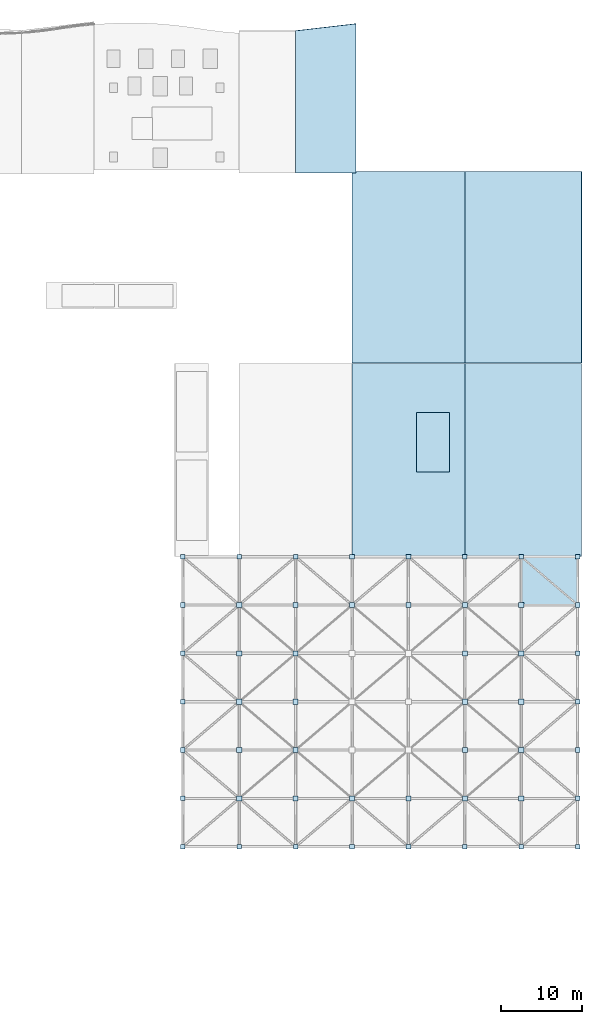
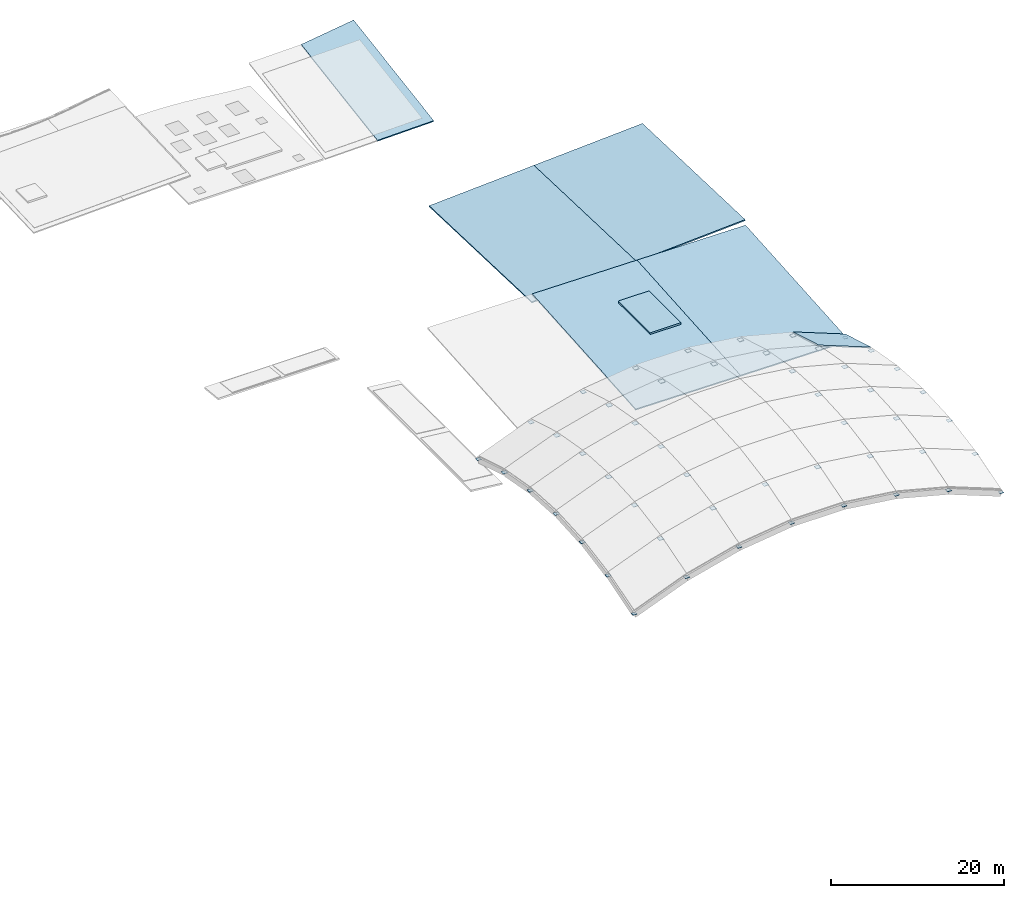
# One storey, part 6 of 11: 50 plates, 7 slabs.
"""IFC4 building model written with IfcOpenShell, lengths in metres."""

import ifcopenshell
import ifcopenshell.guid

model = None  # the IFC model being written
_history = None  # IfcOwnerHistory: only IFC2X3 demands one
_inside = {}  # id of a spatial element -> (the spatial element, [elements in it])
_under = {}  # id of a project, library or spatial element -> (it, [spatial elements below it])
_declared = {}  # id of a project -> (the project, [libraries it declares])
_typed = {}  # id of a type object -> (the type object, [elements of that type])
_made_of = {}  # id of a material, layer set ... -> (it, [elements and type objects made of it])


def new_model(schema):
    """Start an empty IFC model of exactly this schema.

    Asked for "IFC4X3", IfcOpenShell would pick the latest addendum, in which some entities
    have other attributes; the version numbers below select the first issue.
    IFC2X3 requires an IfcOwnerHistory on every rooted entity: one is made here for all.
    """
    global model, _history
    if schema == "IFC4X3":
        model = ifcopenshell.file(schema_version=(4, 3, 0, 0))
    else:
        model = ifcopenshell.file(schema=schema)
    _inside.clear()
    _under.clear()
    _declared.clear()
    _typed.clear()
    _made_of.clear()
    _history = None
    if model.schema == "IFC2X3":
        org = make("IfcOrganization", Name="unknown")
        user = make(
            "IfcPersonAndOrganization",
            ThePerson=make("IfcPerson", FamilyName="unknown"),
            TheOrganization=org,
        )
        app = make(
            "IfcApplication",
            ApplicationDeveloper=org,
            Version="unknown",
            ApplicationFullName="unknown",
            ApplicationIdentifier="unknown",
        )
        _history = make(
            "IfcOwnerHistory",
            OwningUser=user,
            OwningApplication=app,
            ChangeAction="ADDED",
            CreationDate=0,
        )
    return model


def make(cls, **values):
    """One entity of the class cls with the attributes given. An attribute that is None is left unset."""
    return model.create_entity(
        cls, **{name: value for name, value in values.items() if value is not None}
    )


def rooted(cls, **values):
    """An entity with a GlobalId (a new one), such as an element, a storey or a relation."""
    return make(cls, GlobalId=ifcopenshell.guid.new(), OwnerHistory=_history, **values)


def si_unit(unit_type, name, prefix=None):
    """IfcSIUnit, for example si_unit("LENGTHUNIT", "METRE", prefix="MILLI")."""
    return make("IfcSIUnit", UnitType=unit_type, Prefix=prefix, Name=name)


def assignment(units):
    """IfcUnitAssignment: the units of a project."""
    return None if units is None else make("IfcUnitAssignment", Units=units)


def point(xyz):
    """IfcCartesianPoint."""
    return None if xyz is None else make("IfcCartesianPoint", Coordinates=xyz)


def direction(xyz):
    """IfcDirection."""
    return None if xyz is None else make("IfcDirection", DirectionRatios=xyz)


def frame(location, z_axis=None, x_axis=None):
    """IfcAxis2Placement3D, a coordinate frame: its origin and axes. An axis left out is left unset."""
    return make(
        "IfcAxis2Placement3D",
        Location=point(location),
        Axis=direction(z_axis),
        RefDirection=direction(x_axis),
    )


def frame_2d(location, x_axis=None):
    """IfcAxis2Placement2D, a coordinate frame in the plane: its origin and x axis."""
    return make(
        "IfcAxis2Placement2D", Location=point(location), RefDirection=direction(x_axis)
    )


def origin():
    """The frame at (0, 0, 0) with its axes left unset."""
    return frame((0.0, 0.0, 0.0))


def origin_2d():
    """The frame at (0, 0) in the plane with its x axis left unset."""
    return frame_2d((0.0, 0.0))


def place(relative_to, where):
    """IfcLocalPlacement: puts the frame where relative to a parent placement (None: the world)."""
    return make(
        "IfcLocalPlacement", PlacementRelTo=relative_to, RelativePlacement=where
    )


def context(
    kind, dimensions, precision=None, world=None, true_north=None, identifier=None
):
    """IfcGeometricRepresentationContext, for example the 3D "Model" context."""
    return make(
        "IfcGeometricRepresentationContext",
        ContextIdentifier=identifier,
        ContextType=kind,
        CoordinateSpaceDimension=dimensions,
        Precision=precision,
        WorldCoordinateSystem=world,
        TrueNorth=true_north,
    )


def subcontext(parent, identifier, kind, view, scale=None):
    """IfcGeometricRepresentationSubContext, for example "Body" below "Model"."""
    return make(
        "IfcGeometricRepresentationSubContext",
        ContextIdentifier=identifier,
        ContextType=kind,
        ParentContext=parent,
        TargetScale=scale,
        TargetView=view,
    )


def project(units=None, contexts=None):
    """IfcProject with its units and contexts."""
    return rooted(
        "IfcProject",
        Name="project",
        RepresentationContexts=contexts,
        UnitsInContext=assignment(units),
    )


def spatial(cls, under=None, at=None, **own):
    """A site, building, storey or space (cls), placed at a placement, below another one or the project."""
    s = rooted(cls, ObjectPlacement=at, **own)
    if under is not None:
        _under.setdefault(under.id(), (under, []))[1].append(s)
    return s


def polyline(points):
    """IfcPolyline through the points."""
    return make("IfcPolyline", Points=[point(p) for p in points])


def profile(cls, at=None, kind="AREA", **sizes):
    """A parametric profile (cls). Its sizes go by their IFC names, for example OverallWidth=200.0."""
    return make(cls, ProfileType=kind, Position=at, **sizes)


def rectangle(**sizes):
    """IfcRectangleProfileDef."""
    return profile("IfcRectangleProfileDef", **sizes)


def outline(outer, holes=None, kind="AREA"):
    """IfcArbitraryClosedProfileDef: a profile drawn as a closed curve; with holes, ...WithVoids."""
    if holes is None:
        return make("IfcArbitraryClosedProfileDef", ProfileType=kind, OuterCurve=outer)
    return make(
        "IfcArbitraryProfileDefWithVoids",
        ProfileType=kind,
        OuterCurve=outer,
        InnerCurves=holes,
    )


def extrude(swept, where, along, depth):
    """IfcExtrudedAreaSolid: the profile swept, set in the frame where, extruded along a direction by depth."""
    return make(
        "IfcExtrudedAreaSolid",
        SweptArea=swept,
        Position=where,
        ExtrudedDirection=direction(along),
        Depth=depth,
    )


def shape(context_of_items, identifier, shape_type, items):
    """IfcShapeRepresentation: the items that make up one representation, for example the "Body"."""
    return make(
        "IfcShapeRepresentation",
        ContextOfItems=context_of_items,
        RepresentationIdentifier=identifier,
        RepresentationType=shape_type,
        Items=items,
    )


def material(Name=None, Category=None):
    """IfcMaterial."""
    return make("IfcMaterial", Name=Name, Category=Category)


def layer(
    of_material, thickness, ventilated=None, Name=None, Category=None, Priority=None
):
    """IfcMaterialLayer: one layer of a wall or slab, of a material (None: an air gap)."""
    return make(
        "IfcMaterialLayer",
        Material=of_material,
        LayerThickness=thickness,
        IsVentilated=ventilated,
        Name=Name,
        Category=Category,
        Priority=Priority,
    )


def layer_set(layers, Name=None):
    """IfcMaterialLayerSet."""
    return make("IfcMaterialLayerSet", MaterialLayers=layers, LayerSetName=Name)


def made_of(thing, what):
    """Note that an element or type object is made of a material, layer set ...; save() writes the relation."""
    if what is not None:
        _made_of.setdefault(what.id(), (what, []))[1].append(thing)
    return thing


def type_object(cls, material=None, **own):
    """A type object (cls), such as IfcWallType, which elements share."""
    return made_of(rooted(cls, **own), material)


def element(
    cls,
    number,
    at=None,
    inside=None,
    cuts=None,
    type_object=None,
    material=None,
    context=None,
    identifier="Body",
    shape_type=None,
    held_by="IfcProductDefinitionShape",
    body=None,
    shapes=None,
    **own,
):
    """One element of the class cls, such as IfcWall. Its Tag is "e" and its number.

    at: its placement. inside: the storey or other place that contains it. cuts: it is an
    opening in that element (IfcRelVoidsElement). A single representation is given by context,
    identifier, shape_type and body (its items); several are given by shapes. held_by: the class
    of the entity that holds the representations. save() writes the other relations.
    """
    e = rooted(cls, Tag="e%d" % number, ObjectPlacement=at, **own)
    if body is not None:
        shapes = [shape(context, identifier, shape_type, body)]
    if shapes is not None:
        e.Representation = make(held_by, Representations=shapes)
    if inside is not None:
        _inside.setdefault(inside.id(), (inside, []))[1].append(e)
    if cuts is not None:
        rooted(
            "IfcRelVoidsElement", RelatingBuildingElement=cuts, RelatedOpeningElement=e
        )
    if type_object is not None:
        _typed.setdefault(type_object.id(), (type_object, []))[1].append(e)
    return made_of(e, material)


def aggregate(whole, parts):
    """IfcRelAggregates: a whole, such as a stair, and the parts it consists of."""
    return rooted("IfcRelAggregates", RelatingObject=whole, RelatedObjects=parts)


def save(model, path):
    """Write the relations noted so far, then the file.

    IfcRelAggregates (storeys below a building ...), IfcRelContainedInSpatialStructure (elements
    in a storey), IfcRelDefinesByType, IfcRelAssociatesMaterial and IfcRelDeclares: one each for
    every whole, place, type object, material and project.
    """
    for whole, parts in _under.values():
        aggregate(whole, parts)
    for where, things in _inside.values():
        rooted(
            "IfcRelContainedInSpatialStructure",
            RelatedElements=things,
            RelatingStructure=where,
        )
    for kind, things in _typed.values():
        rooted("IfcRelDefinesByType", RelatedObjects=things, RelatingType=kind)
    for what, things in _made_of.values():
        rooted("IfcRelAssociatesMaterial", RelatedObjects=things, RelatingMaterial=what)
    for by, libraries in _declared.values():
        rooted("IfcRelDeclares", RelatingContext=by, RelatedDefinitions=libraries)
    model.write(path)


model = new_model("IFC4")

# Units and contexts
model_context = context("Model", 3, precision=1e-05, world=origin(), true_north=direction((0.0, 1.0)))
body_context = subcontext(model_context, "Body", "Model", "MODEL_VIEW")
ifc_project = project(units=[si_unit("LENGTHUNIT", "METRE"), si_unit("AREAUNIT", "SQUARE_METRE"), si_unit("VOLUMEUNIT", "CUBIC_METRE"), si_unit("PLANEANGLEUNIT", "RADIAN"), si_unit("MASSUNIT", "GRAM", prefix="KILO")], contexts=[model_context])

# Site, building, storey
site_placement = place(None, origin())
site = spatial("IfcSite", under=ifc_project, at=site_placement, CompositionType="ELEMENT")
building_placement = place(site_placement, origin())
building = spatial("IfcBuilding", under=site, at=building_placement, Name="Tonlespit Floodbar School", CompositionType="ELEMENT")
storey_placement = place(building_placement, frame((0.0, 0.0, 24.0)))
storey = spatial("IfcBuildingStorey", under=building, at=storey_placement, Name="RF", CompositionType="ELEMENT", Elevation=24.0)

# Plates
ifc_material_1 = material(Name="Steel S355", Category="steel")
ifc_layer_1 = layer(ifc_material_1, 0.0400390625)
ifc_layer_set_1 = layer_set([ifc_layer_1], Name="Steel S355")
plate_type_1 = type_object("IfcPlateType", Name="GussetPlate_GSN02", PredefinedType="USERDEFINED", material=ifc_layer_set_1)
for number, where, z_axis, x_axis, name in (
    (1, (134.0, 26.0, -10.259521484375), (0.0, 0.0, 1.0), (1.0, 0.0, 0.0), "Gridshell node gusset plate 2-2"),
    (2, (134.0, 32.0, -9.192626953125), (0.0, 0.0, 1.0), (1.0, 0.0, 0.0), "Gridshell node gusset plate 2-3"),
    (3, (134.0, 38.0, -8.837158203125), (0.0, 0.0, 1.0), (1.0, 0.0, 0.0), "Gridshell node gusset plate 2-4"),
    (4, (134.0, 44.0, -9.192626953125), (0.0, 0.0, 1.0), (1.0, 0.0, 0.0), "Gridshell node gusset plate 2-5"),
    (5, (134.0, 50.0, -10.259521484375), (0.0, 0.0, 1.0), (1.0, 0.0, 0.0), "Gridshell node gusset plate 2-6"),
    (6, (141.0, 26.0, -8.430908203125), (0.0, 0.0, 1.0), (1.0, 0.0, 0.0), "Gridshell node gusset plate 3-2"),
    (7, (141.0, 32.0, -7.364013671875), (0.0, 0.0, 1.0), (1.0, 0.0, 0.0), "Gridshell node gusset plate 3-3"),
    (8, (141.0, 38.0, -7.008544921875), (0.0, 0.0, 1.0), (1.0, 0.0, 0.0), "Gridshell node gusset plate 3-4"),
    (9, (141.0, 44.0, -7.364013671875), (0.0, 0.0, 1.0), (1.0, 0.0, 0.0), "Gridshell node gusset plate 3-5"),
    (10, (141.0, 50.0, -8.430908203125), (0.0, 0.0, 1.0), (1.0, 0.0, 0.0), "Gridshell node gusset plate 3-6"),
    (11, (148.0, 26.0, -7.5166015625), (0.0, 0.0, 1.0), (1.0, 0.0, 0.0), "Gridshell node gusset plate 4-2"),
    (12, (148.0, 50.0, -7.5166015625), (0.0, 0.0, 1.0), (1.0, 0.0, 0.0), "Gridshell node gusset plate 4-6"),
    (13, (155.0, 26.0, -7.5166015625), (0.0, 0.0, 1.0), (1.0, 0.0, 0.0), "Gridshell node gusset plate 5-2"),
    (14, (155.0, 50.0, -7.5166015625), (0.0, 0.0, 1.0), (1.0, 0.0, 0.0), "Gridshell node gusset plate 5-6"),
    (15, (162.0, 26.0, -8.430908203125), (0.0, 0.0, 1.0), (1.0, 0.0, 0.0), "Gridshell node gusset plate 6-2"),
    (16, (162.0, 32.0, -7.364013671875), (0.0, 0.0, 1.0), (1.0, 0.0, 0.0), "Gridshell node gusset plate 6-3"),
    (17, (162.0, 38.0, -7.008544921875), (0.0, 0.0, 1.0), (1.0, 0.0, 0.0), "Gridshell node gusset plate 6-4"),
    (18, (162.0, 44.0, -7.364013671875), (0.0, 0.0, 1.0), (1.0, 0.0, 0.0), "Gridshell node gusset plate 6-5"),
    (19, (162.0, 50.0, -8.430908203125), (0.0, 0.0, 1.0), (1.0, 0.0, 0.0), "Gridshell node gusset plate 6-6"),
    (20, (169.0, 26.0, -10.259521484375), (0.0, 0.0, 1.0), (1.0, 0.0, 0.0), "Gridshell node gusset plate 7-2"),
    (21, (169.0, 32.0, -9.192626953125), (0.0, 0.0, 1.0), (1.0, 0.0, 0.0), "Gridshell node gusset plate 7-3"),
    (22, (169.0, 38.0, -8.837158203125), (0.0, 0.0, 1.0), (1.0, 0.0, 0.0), "Gridshell node gusset plate 7-4"),
    (23, (169.0, 44.0, -9.192626953125), (0.0, 0.0, 1.0), (1.0, 0.0, 0.0), "Gridshell node gusset plate 7-5"),
    (24, (169.0, 50.0, -10.259521484375), (0.0, 0.0, 1.0), (1.0, 0.0, 0.0), "Gridshell node gusset plate 7-6"),
):
    element("IfcPlate", number, at=place(storey_placement, frame(where, z_axis=z_axis, x_axis=x_axis)), inside=storey, type_object=plate_type_1, Name=name, ObjectType="GUSSET_PLATE", PredefinedType="USERDEFINED", context=body_context, shape_type="SweptSolid", body=[
        extrude(rectangle(XDim=0.639892578125, YDim=0.639892578125, at=origin_2d()), origin(), (0.0, 0.0, 1.0), 0.0400390625),
    ])
ifc_layer_2 = layer(ifc_material_1, 0.035888671875)
ifc_layer_set_2 = layer_set([ifc_layer_2], Name="Steel S355")
plate_type_2 = type_object("IfcPlateType", Name="GussetPlate_GSN03", PredefinedType="USERDEFINED", material=ifc_layer_set_2)
for number, where, z_axis, x_axis, name in (
    (25, (127.0, 26.0, -13.0), (0.0, 0.0, 1.0), (1.0, 0.0, 0.0), "Gridshell node gusset plate 1-2"),
    (26, (127.0, 32.0, -11.93359375), (0.0, 0.0, 1.0), (1.0, 0.0, 0.0), "Gridshell node gusset plate 1-3"),
    (27, (127.0, 38.0, -11.578125), (0.0, 0.0, 1.0), (1.0, 0.0, 0.0), "Gridshell node gusset plate 1-4"),
    (28, (127.0, 44.0, -11.93359375), (0.0, 0.0, 1.0), (1.0, 0.0, 0.0), "Gridshell node gusset plate 1-5"),
    (29, (127.0, 50.0, -13.0), (0.0, 0.0, 1.0), (1.0, 0.0, 0.0), "Gridshell node gusset plate 1-6"),
    (30, (134.0, 20.0, -12.03515625), (0.0, 0.0, 1.0), (1.0, 0.0, 0.0), "Gridshell node gusset plate 2-1"),
    (31, (134.0, 56.0, -12.03515625), (0.0, 0.0, 1.0), (1.0, 0.0, 0.0), "Gridshell node gusset plate 2-7"),
    (32, (141.0, 20.0, -10.20654296875), (0.0, 0.0, 1.0), (1.0, 0.0, 0.0), "Gridshell node gusset plate 3-1"),
    (33, (141.0, 56.0, -10.20654296875), (0.0, 0.0, 1.0), (1.0, 0.0, 0.0), "Gridshell node gusset plate 3-7"),
    (34, (148.0, 20.0, -9.29248046875), (0.0, 0.0, 1.0), (1.0, 0.0, 0.0), "Gridshell node gusset plate 4-1"),
    (35, (148.0, 56.0, -9.29248046875), (0.0, 0.0, 1.0), (1.0, 0.0, 0.0), "Gridshell node gusset plate 4-7"),
    (36, (155.0, 20.0, -9.29248046875), (0.0, 0.0, 1.0), (1.0, 0.0, 0.0), "Gridshell node gusset plate 5-1"),
    (37, (155.0, 56.0, -9.29248046875), (0.0, 0.0, 1.0), (1.0, 0.0, 0.0), "Gridshell node gusset plate 5-7"),
    (38, (162.0, 20.0, -10.20654296875), (0.0, 0.0, 1.0), (1.0, 0.0, 0.0), "Gridshell node gusset plate 6-1"),
    (39, (162.0, 56.0, -10.20654296875), (0.0, 0.0, 1.0), (1.0, 0.0, 0.0), "Gridshell node gusset plate 6-7"),
    (40, (169.0, 20.0, -12.03515625), (0.0, 0.0, 1.0), (1.0, 0.0, 0.0), "Gridshell node gusset plate 7-1"),
    (41, (169.0, 56.0, -12.03515625), (0.0, 0.0, 1.0), (1.0, 0.0, 0.0), "Gridshell node gusset plate 7-7"),
    (42, (176.0, 26.0, -13.0), (0.0, 0.0, 1.0), (1.0, 0.0, 0.0), "Gridshell node gusset plate 8-2"),
    (43, (176.0, 32.0, -11.93359375), (0.0, 0.0, 1.0), (1.0, 0.0, 0.0), "Gridshell node gusset plate 8-3"),
    (44, (176.0, 38.0, -11.578125), (0.0, 0.0, 1.0), (1.0, 0.0, 0.0), "Gridshell node gusset plate 8-4"),
    (45, (176.0, 44.0, -11.93359375), (0.0, 0.0, 1.0), (1.0, 0.0, 0.0), "Gridshell node gusset plate 8-5"),
    (46, (176.0, 50.0, -13.0), (0.0, 0.0, 1.0), (1.0, 0.0, 0.0), "Gridshell node gusset plate 8-6"),
):
    element("IfcPlate", number, at=place(storey_placement, frame(where, z_axis=z_axis, x_axis=x_axis)), inside=storey, type_object=plate_type_2, Name=name, ObjectType="GUSSET_PLATE", PredefinedType="USERDEFINED", context=body_context, shape_type="SweptSolid", body=[
        extrude(rectangle(XDim=0.580078125, YDim=0.580078125, at=origin_2d()), origin(), (0.0, 0.0, 1.0), 0.035888671875),
    ])
ifc_layer_3 = layer(ifc_material_1, 0.031982421875)
ifc_layer_set_3 = layer_set([ifc_layer_3], Name="Steel S355")
plate_type_3 = type_object("IfcPlateType", Name="GussetPlate_GSN04", PredefinedType="USERDEFINED", material=ifc_layer_set_3)
for number, where, z_axis, x_axis, name in (
    (47, (127.0, 20.0, -14.77587890625), (0.0, 0.0, 1.0), (1.0, 0.0, 0.0), "Gridshell node gusset plate 1-1"),
    (48, (127.0, 56.0, -14.77587890625), (0.0, 0.0, 1.0), (1.0, 0.0, 0.0), "Gridshell node gusset plate 1-7"),
    (49, (176.0, 20.0, -14.77587890625), (0.0, 0.0, 1.0), (1.0, 0.0, 0.0), "Gridshell node gusset plate 8-1"),
    (50, (176.0, 56.0, -14.77587890625), (0.0, 0.0, 1.0), (1.0, 0.0, 0.0), "Gridshell node gusset plate 8-7"),
):
    element("IfcPlate", number, at=place(storey_placement, frame(where, z_axis=z_axis, x_axis=x_axis)), inside=storey, type_object=plate_type_3, Name=name, ObjectType="GUSSET_PLATE", PredefinedType="USERDEFINED", context=body_context, shape_type="SweptSolid", body=[
        extrude(rectangle(XDim=0.52001953125, YDim=0.52001953125, at=origin_2d()), origin(), (0.0, 0.0, 1.0), 0.031982421875),
    ])

# Slabs
ifc_material_2 = material(Name="CLT C24", Category="wood")
ifc_layer_4 = layer(ifc_material_2, 0.14990234375)
ifc_layer_set_4 = layer_set([ifc_layer_4], Name="CLT C24")
slab_type_1 = type_object("IfcSlabType", Name="Slab_Gridshell_CLT_150", PredefinedType="ROOF", material=ifc_layer_set_4)
slab_1_placement = place(storey_placement, frame((169.0, 50.0, -9.729248046875), z_axis=(0.351697863242, 0.265946400844, 0.89754171205), x_axis=(0.931071633846, 0.0, -0.364836419024)))
element("IfcSlab", 51, at=slab_1_placement, inside=storey, type_object=slab_type_1, Name="Gridshell roof cassette 7-6", PredefinedType="ROOF", context=body_context, shape_type="SweptSolid", body=[
    extrude(outline(polyline([(0.0, 0.0), (7.518218518892542, 0.0), (8.166836390800507, 6.224145048725977), (0.6486178719079637, 6.224145048725977), (0.0, 0.0)])), origin(), (0.0, 0.0, -1.0), 0.14990234375),
])
ifc_layer_5 = layer(ifc_material_2, 0.169921875)
ifc_layer_set_5 = layer_set([ifc_layer_5], Name="CLT C24")
slab_type_2 = type_object("IfcSlabType", Name="Slab_Roof_CLT_170", PredefinedType="ROOF", material=ifc_layer_set_5)
slab_2_placement = place(storey_placement, frame((148.0, 56.0, -15.061767578125), z_axis=(0.009391330405, -0.072972666653, 0.997289723618), x_axis=(0.999955664391, 0.0, -0.009416435177)))
element("IfcSlab", 52, at=slab_2_placement, inside=storey, type_object=slab_type_2, Name="V3 foyer raked roof bay 2", PredefinedType="ROOF", context=body_context, shape_type="SweptSolid", body=[
    extrude(outline(polyline([(0.0, 0.0), (14.000620726039847, 1.734723475976807e-18), (13.98411207833386, 24.024010365938057), (-0.016508647705986396, 24.024010365938057), (0.0, 0.0)])), origin(), (0.0, 0.0, -1.0), 0.169921875),
])
slab_3_placement = place(storey_placement, frame((162.0, 56.0, -15.193603515625), z_axis=(0.009386533213, -0.07297266994, 0.997289768541), x_axis=(0.999955709675, 0.0, -0.009411625163)))
element("IfcSlab", 53, at=slab_3_placement, inside=storey, type_object=slab_type_2, Name="V3 foyer raked roof bay 3", PredefinedType="ROOF", context=body_context, shape_type="SweptSolid", body=[
    extrude(outline(polyline([(0.0, 0.0), (14.500642238156352, 0.0), (14.484142023239647, 24.024010371731364), (-0.01650021491670519, 24.024010371731364), (0.0, 0.0)])), origin(), (0.0, 0.0, -1.0), 0.169921875),
])
slab_4_placement = place(storey_placement, frame((148.0, 80.0400390625, -14.498779296875), z_axis=(-0.057764786308, 0.034610585497, 0.997730092176), x_axis=(0.998328216358, 0.0, 0.057799415428)))
element("IfcSlab", 54, at=slab_4_placement, inside=storey, type_object=slab_type_2, Name="V4 south recital raked roof 1", PredefinedType="ROOF", context=body_context, shape_type="SweptSolid", body=[
    extrude(outline(polyline([(0.0, 0.0), (14.02344416456144, 0.0), (13.975804802626575, 23.77425353405741), (-0.04763936193486453, 23.774253534057415), (0.0, 0.0)])), origin(), (0.0, 0.0, -1.0), 0.169921875),
])
slab_5_placement = place(storey_placement, frame((162.0, 80.0400390625, -13.688232421875), z_axis=(-0.057763580129, 0.03461570773, 0.997729984309), x_axis=(0.998328285057, -2.9027e-07, 0.057798228824)))
element("IfcSlab", 55, at=slab_5_placement, inside=storey, type_object=slab_type_2, Name="V4 south recital raked roof 2", PredefinedType="ROOF", context=body_context, shape_type="SweptSolid", body=[
    extrude(outline(polyline([(0.0, 0.0), (14.52428750366878, 0.0), (14.476628112052875, 23.774261958853113), (-0.04764528072019623, 23.774253521884518), (0.0, 0.0)])), origin(), (0.0, 0.0, -1.0), 0.169921875),
])
slab_6_placement = place(storey_placement, frame((141.0, 103.60009765625, -3.51904296875), z_axis=(-0.020410335865, -0.158369283343, 0.98716897656), x_axis=(0.99978633038, -7.89707e-07, 0.020671080854)))
element("IfcSlab", 56, at=slab_6_placement, inside=storey, type_object=slab_type_2, Name="V4 north-light clerestory wedge roof 2", PredefinedType="ROOF", context=body_context, shape_type="SweptSolid", body=[
    extrude(outline(polyline([(0.0, 0.0), (7.501602100984182, 0.0), (7.563075849534881, 18.7784953874415), (0.05857766055772836, 17.89427779376527), (0.0, 0.0)])), origin(), (0.0, 0.0, -1.0), 0.169921875),
])
ifc_layer_6 = layer(ifc_material_2, 0.24609375)
ifc_layer_set_6 = layer_set([ifc_layer_6], Name="CLT C24")
slab_type_3 = type_object("IfcSlabType", Name="Slab_Roof_CLT_246", PredefinedType="ROOF", material=ifc_layer_set_6)
slab_7_placement = place(storey_placement, frame((0.0, 0.0, -13.697265625)))
element("IfcSlab", 57, at=slab_7_placement, inside=storey, type_object=slab_type_3, Name="Core C5 stair head roof slab", PredefinedType="ROOF", context=body_context, shape_type="SweptSolid", body=[
    extrude(outline(polyline([(160.10009765625, 66.5), (160.10009765625, 73.89990234375), (156.0, 73.89990234375), (156.0, 66.5), (160.10009765625, 66.5)])), origin(), (0.0, 0.0, 1.0), 0.245849609375),
])

save(model, "model.ifc")
